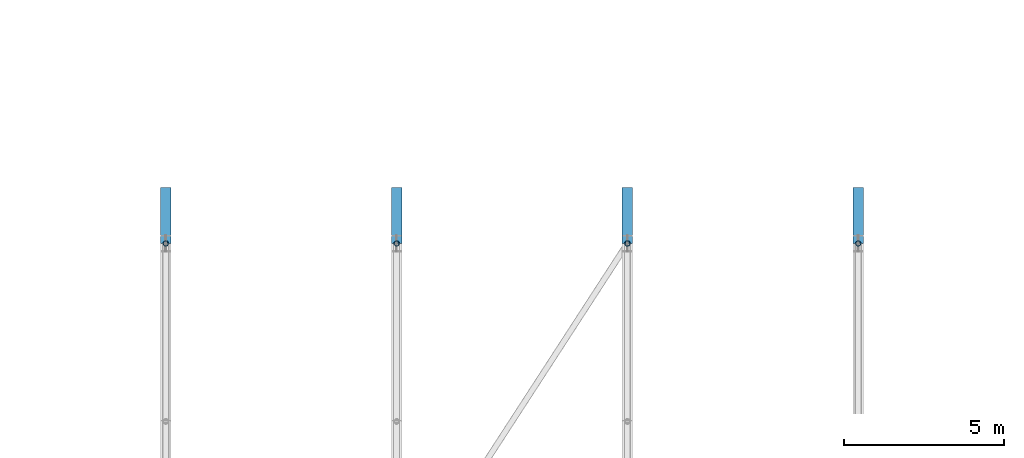
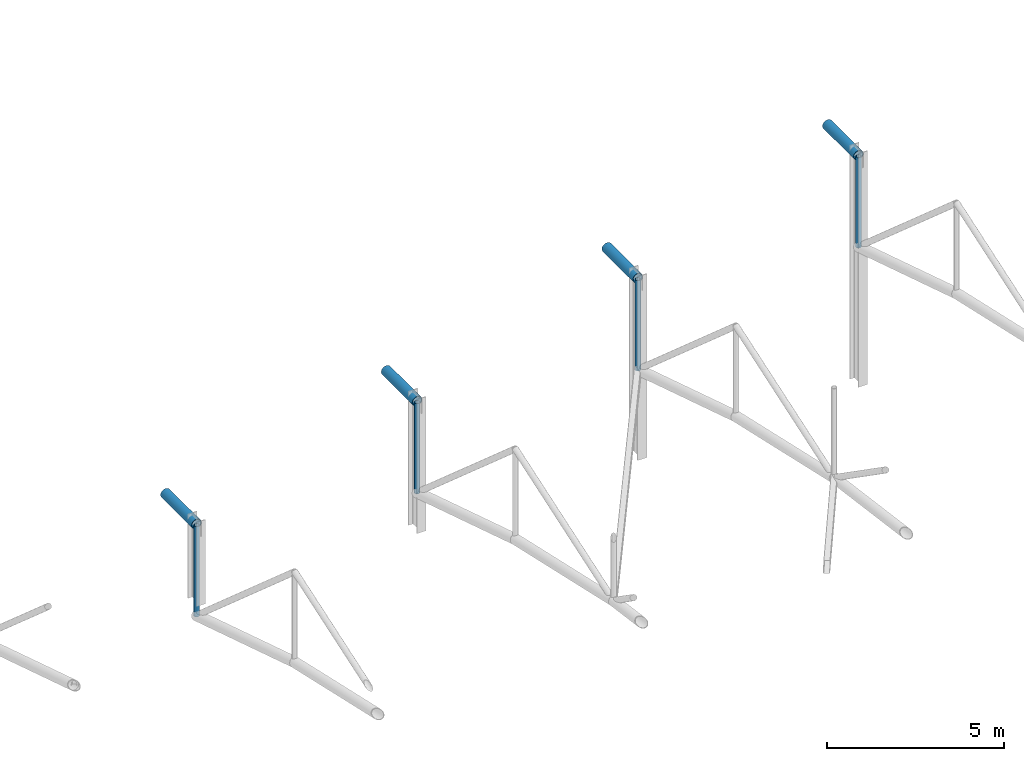
# One storey, part 59 of 153: 4 beams, 4 members.
"""IFC4 building model written with IfcOpenShell, lengths in metres."""

from ifc_helpers import new_model, si_unit, derived_unit, direction, frame, origin, origin_2d, place, context, subcontext, project, spatial, hollow_circle, extrude, material, material_profile, profile_set, type_object, element, save


model = new_model("IFC4")

# Units and contexts
model_context = context("Model", 3, precision=1e-05, world=origin(), true_north=direction((0.0, 1.0)))
body_context = subcontext(model_context, "Body", "Model", "MODEL_VIEW")
ifc_project = project(units=[si_unit("LENGTHUNIT", "METRE"), si_unit("AREAUNIT", "SQUARE_METRE"), si_unit("VOLUMEUNIT", "CUBIC_METRE"), si_unit("PLANEANGLEUNIT", "RADIAN"), si_unit("MASSUNIT", "GRAM", prefix="KILO"), derived_unit("THERMALTRANSMITTANCEUNIT", [(si_unit("POWERUNIT", "WATT"), 1), (si_unit("LENGTHUNIT", "METRE"), -2), (si_unit("THERMODYNAMICTEMPERATUREUNIT", "KELVIN"), -1)])], contexts=[model_context])

# Site, building, storey
site_placement = place(None, origin())
site = spatial("IfcSite", under=ifc_project, at=site_placement, CompositionType="ELEMENT")
building_placement = place(site_placement, origin())
building = spatial("IfcBuilding", under=site, at=building_placement, Name="Keldorne Ridge Multi-Sports Centre", CompositionType="ELEMENT")
storey_placement = place(building_placement, frame((0.0, 0.0, 9.60009765625)))
storey = spatial("IfcBuildingStorey", under=building, at=storey_placement, Name="L02", CompositionType="ELEMENT", Elevation=9.60009765625)

# Beams
ifc_material = material(Name="Steel S355", Category="steel")
ifc_material_profile_1 = material_profile(ifc_material, hollow_circle(Radius=0.161865234375, WallThickness=0.01611328125, at=origin_2d()), Name="CHS 323.9x16")
ifc_profile_set_1 = profile_set([ifc_material_profile_1], Name="Steel S355")
beam_type = type_object("IfcBeamType", Name="BM-B-19", PredefinedType="BEAM", material=ifc_profile_set_1)
for number, where, z_axis, x_axis, name in (
    (1, (42.0, 54.0, 2.64990234375), (0.0, 1.0, 0.0), (-1.0, 0.0, 0.0), "North eave bracket rafter 06"),
    (2, (49.199951171875, 54.0, 4.369873046875), (0.0, 1.0, 0.0), (-1.0, 0.0, 0.0), "North eave bracket rafter 07"),
    (3, (56.39990234375, 54.0, 6.08984375), (0.0, 1.0, 0.0), (-1.0, 0.0, 0.0), "North eave bracket rafter 08"),
    (4, (63.60009765625, 54.0, 7.809814453125), (0.0, 1.0, 0.0), (-1.0, 0.0, 0.0), "North eave bracket rafter 09"),
):
    element("IfcBeam", number, at=place(storey_placement, frame(where, z_axis=z_axis, x_axis=x_axis)), inside=storey, type_object=beam_type, Name=name, PredefinedType="BEAM", context=body_context, shape_type="SweptSolid", body=[
        extrude(hollow_circle(Radius=0.161865234375, WallThickness=0.01611328125, at=origin_2d()), origin(), (0.0, 0.0, 1.0), 1.75),
    ])

# Members
ifc_material_profile_2 = material_profile(ifc_material, hollow_circle(Radius=0.084228515625, WallThickness=0.010009765625, at=origin_2d()), Name="CHS 168.3x10")
ifc_profile_set_2 = profile_set([ifc_material_profile_2], Name="Steel S355")
member_type = type_object("IfcMemberType", Name="MEM-TV-01", PredefinedType="STRUT", material=ifc_profile_set_2)
for number, where, z_axis, x_axis, name in (
    (5, (42.0, 54.0, -0.5), (0.0, 0.0, 1.0), (1.0, 0.0, 0.0), "Main Hall ROOF TRUSS AT-06 vertical 9"),
    (6, (49.199951171875, 54.0, 1.219970703125), (0.0, 0.0, 1.0), (1.0, 0.0, 0.0), "Main Hall ROOF TRUSS AT-07 vertical 9"),
    (7, (56.39990234375, 54.0, 2.93994140625), (0.0, 0.0, 1.0), (1.0, 0.0, 0.0), "Main Hall ROOF TRUSS AT-08 vertical 9"),
    (8, (63.60009765625, 54.0, 4.659912109375), (0.0, 0.0, 1.0), (1.0, 0.0, 0.0), "Main Hall ROOF TRUSS AT-09 vertical 9"),
):
    element("IfcMember", number, at=place(storey_placement, frame(where, z_axis=z_axis, x_axis=x_axis)), inside=storey, type_object=member_type, Name=name, PredefinedType="STRUT", context=body_context, shape_type="SweptSolid", body=[
        extrude(hollow_circle(Radius=0.084228515625, WallThickness=0.010009765625, at=origin_2d()), origin(), (0.0, 0.0, 1.0), 3.119873046875),
    ])

save(model, "model.ifc")
